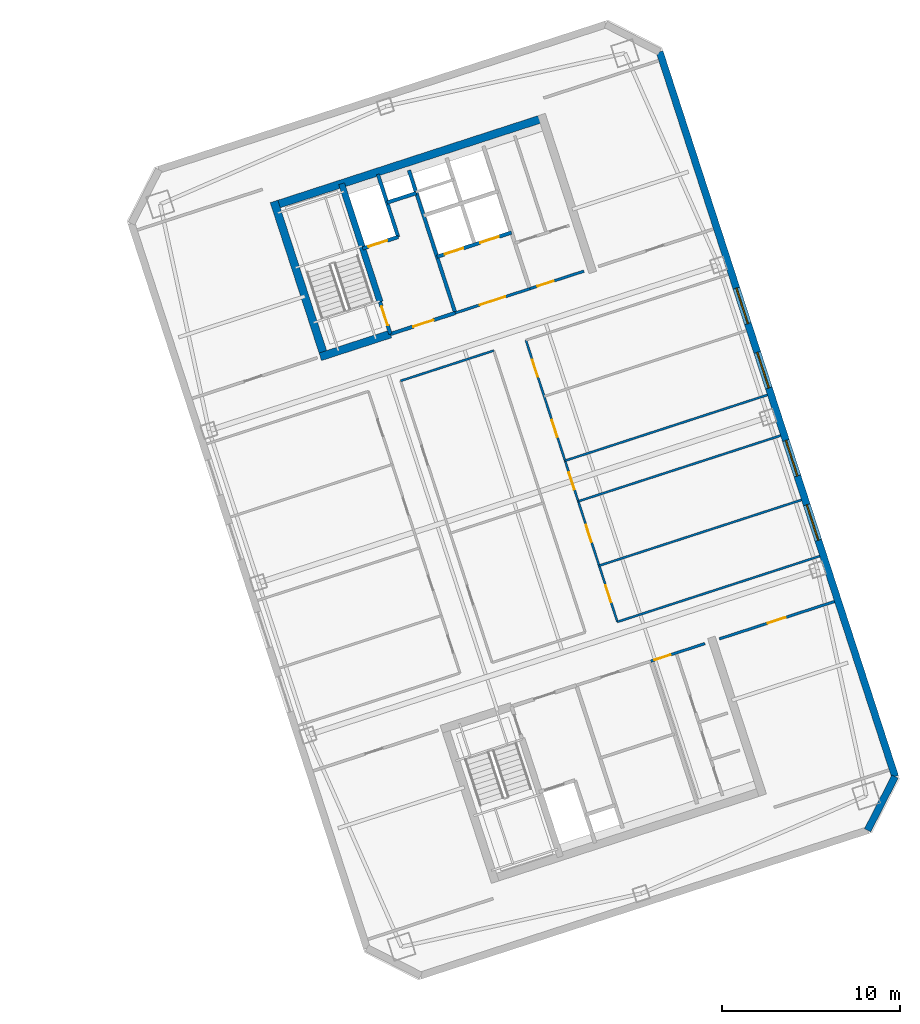
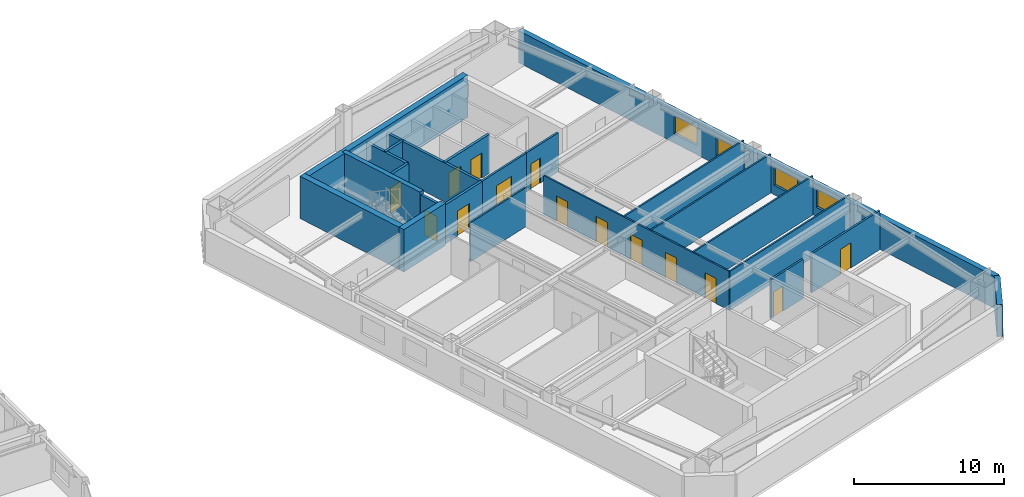
# One storey, part 9 of 13: 23 walls, 14 doors, 4 windows, 18 openings.
"""IFC4 building model written with IfcOpenShell, lengths in metres."""

import ifcopenshell
import ifcopenshell.guid

model = None  # the IFC model being written
_history = None  # IfcOwnerHistory: only IFC2X3 demands one
_inside = {}  # id of a spatial element -> (the spatial element, [elements in it])
_under = {}  # id of a project, library or spatial element -> (it, [spatial elements below it])
_declared = {}  # id of a project -> (the project, [libraries it declares])
_typed = {}  # id of a type object -> (the type object, [elements of that type])
_made_of = {}  # id of a material, layer set ... -> (it, [elements and type objects made of it])


def new_model(schema):
    """Start an empty IFC model of exactly this schema.

    Asked for "IFC4X3", IfcOpenShell would pick the latest addendum, in which some entities
    have other attributes; the version numbers below select the first issue.
    IFC2X3 requires an IfcOwnerHistory on every rooted entity: one is made here for all.
    """
    global model, _history
    if schema == "IFC4X3":
        model = ifcopenshell.file(schema_version=(4, 3, 0, 0))
    else:
        model = ifcopenshell.file(schema=schema)
    _inside.clear()
    _under.clear()
    _declared.clear()
    _typed.clear()
    _made_of.clear()
    _history = None
    if model.schema == "IFC2X3":
        org = make("IfcOrganization", Name="unknown")
        user = make(
            "IfcPersonAndOrganization",
            ThePerson=make("IfcPerson", FamilyName="unknown"),
            TheOrganization=org,
        )
        app = make(
            "IfcApplication",
            ApplicationDeveloper=org,
            Version="unknown",
            ApplicationFullName="unknown",
            ApplicationIdentifier="unknown",
        )
        _history = make(
            "IfcOwnerHistory",
            OwningUser=user,
            OwningApplication=app,
            ChangeAction="ADDED",
            CreationDate=0,
        )
    return model


def make(cls, **values):
    """One entity of the class cls with the attributes given. An attribute that is None is left unset."""
    return model.create_entity(
        cls, **{name: value for name, value in values.items() if value is not None}
    )


def rooted(cls, **values):
    """An entity with a GlobalId (a new one), such as an element, a storey or a relation."""
    return make(cls, GlobalId=ifcopenshell.guid.new(), OwnerHistory=_history, **values)


def si_unit(unit_type, name, prefix=None):
    """IfcSIUnit, for example si_unit("LENGTHUNIT", "METRE", prefix="MILLI")."""
    return make("IfcSIUnit", UnitType=unit_type, Prefix=prefix, Name=name)


def assignment(units):
    """IfcUnitAssignment: the units of a project."""
    return None if units is None else make("IfcUnitAssignment", Units=units)


def point(xyz):
    """IfcCartesianPoint."""
    return None if xyz is None else make("IfcCartesianPoint", Coordinates=xyz)


def direction(xyz):
    """IfcDirection."""
    return None if xyz is None else make("IfcDirection", DirectionRatios=xyz)


def frame(location, z_axis=None, x_axis=None):
    """IfcAxis2Placement3D, a coordinate frame: its origin and axes. An axis left out is left unset."""
    return make(
        "IfcAxis2Placement3D",
        Location=point(location),
        Axis=direction(z_axis),
        RefDirection=direction(x_axis),
    )


def frame_2d(location, x_axis=None):
    """IfcAxis2Placement2D, a coordinate frame in the plane: its origin and x axis."""
    return make(
        "IfcAxis2Placement2D", Location=point(location), RefDirection=direction(x_axis)
    )


def origin():
    """The frame at (0, 0, 0) with its axes left unset."""
    return frame((0.0, 0.0, 0.0))


def place(relative_to, where):
    """IfcLocalPlacement: puts the frame where relative to a parent placement (None: the world)."""
    return make(
        "IfcLocalPlacement", PlacementRelTo=relative_to, RelativePlacement=where
    )


def context(
    kind, dimensions, precision=None, world=None, true_north=None, identifier=None
):
    """IfcGeometricRepresentationContext, for example the 3D "Model" context."""
    return make(
        "IfcGeometricRepresentationContext",
        ContextIdentifier=identifier,
        ContextType=kind,
        CoordinateSpaceDimension=dimensions,
        Precision=precision,
        WorldCoordinateSystem=world,
        TrueNorth=true_north,
    )


def subcontext(parent, identifier, kind, view, scale=None):
    """IfcGeometricRepresentationSubContext, for example "Body" below "Model"."""
    return make(
        "IfcGeometricRepresentationSubContext",
        ContextIdentifier=identifier,
        ContextType=kind,
        ParentContext=parent,
        TargetScale=scale,
        TargetView=view,
    )


def project(units=None, contexts=None):
    """IfcProject with its units and contexts."""
    return rooted(
        "IfcProject",
        Name="project",
        RepresentationContexts=contexts,
        UnitsInContext=assignment(units),
    )


def spatial(cls, under=None, at=None, **own):
    """A site, building, storey or space (cls), placed at a placement, below another one or the project."""
    s = rooted(cls, ObjectPlacement=at, **own)
    if under is not None:
        _under.setdefault(under.id(), (under, []))[1].append(s)
    return s


def profile(cls, at=None, kind="AREA", **sizes):
    """A parametric profile (cls). Its sizes go by their IFC names, for example OverallWidth=200.0."""
    return make(cls, ProfileType=kind, Position=at, **sizes)


def rectangle(**sizes):
    """IfcRectangleProfileDef."""
    return profile("IfcRectangleProfileDef", **sizes)


def extrude(swept, where, along, depth):
    """IfcExtrudedAreaSolid: the profile swept, set in the frame where, extruded along a direction by depth."""
    return make(
        "IfcExtrudedAreaSolid",
        SweptArea=swept,
        Position=where,
        ExtrudedDirection=direction(along),
        Depth=depth,
    )


def shape(context_of_items, identifier, shape_type, items):
    """IfcShapeRepresentation: the items that make up one representation, for example the "Body"."""
    return make(
        "IfcShapeRepresentation",
        ContextOfItems=context_of_items,
        RepresentationIdentifier=identifier,
        RepresentationType=shape_type,
        Items=items,
    )


def material(Name=None, Category=None):
    """IfcMaterial."""
    return make("IfcMaterial", Name=Name, Category=Category)


def layer(
    of_material, thickness, ventilated=None, Name=None, Category=None, Priority=None
):
    """IfcMaterialLayer: one layer of a wall or slab, of a material (None: an air gap)."""
    return make(
        "IfcMaterialLayer",
        Material=of_material,
        LayerThickness=thickness,
        IsVentilated=ventilated,
        Name=Name,
        Category=Category,
        Priority=Priority,
    )


def layer_set(layers, Name=None):
    """IfcMaterialLayerSet."""
    return make("IfcMaterialLayerSet", MaterialLayers=layers, LayerSetName=Name)


def made_of(thing, what):
    """Note that an element or type object is made of a material, layer set ...; save() writes the relation."""
    if what is not None:
        _made_of.setdefault(what.id(), (what, []))[1].append(thing)
    return thing


def type_object(cls, material=None, **own):
    """A type object (cls), such as IfcWallType, which elements share."""
    return made_of(rooted(cls, **own), material)


def element(
    cls,
    number,
    at=None,
    inside=None,
    cuts=None,
    type_object=None,
    material=None,
    context=None,
    identifier="Body",
    shape_type=None,
    held_by="IfcProductDefinitionShape",
    body=None,
    shapes=None,
    **own,
):
    """One element of the class cls, such as IfcWall. Its Tag is "e" and its number.

    at: its placement. inside: the storey or other place that contains it. cuts: it is an
    opening in that element (IfcRelVoidsElement). A single representation is given by context,
    identifier, shape_type and body (its items); several are given by shapes. held_by: the class
    of the entity that holds the representations. save() writes the other relations.
    """
    e = rooted(cls, Tag="e%d" % number, ObjectPlacement=at, **own)
    if body is not None:
        shapes = [shape(context, identifier, shape_type, body)]
    if shapes is not None:
        e.Representation = make(held_by, Representations=shapes)
    if inside is not None:
        _inside.setdefault(inside.id(), (inside, []))[1].append(e)
    if cuts is not None:
        rooted(
            "IfcRelVoidsElement", RelatingBuildingElement=cuts, RelatedOpeningElement=e
        )
    if type_object is not None:
        _typed.setdefault(type_object.id(), (type_object, []))[1].append(e)
    return made_of(e, material)


def fill(opening, filler):
    """IfcRelFillsElement: the door or window that sits in an opening."""
    return rooted(
        "IfcRelFillsElement",
        RelatingOpeningElement=opening,
        RelatedBuildingElement=filler,
    )


def aggregate(whole, parts):
    """IfcRelAggregates: a whole, such as a stair, and the parts it consists of."""
    return rooted("IfcRelAggregates", RelatingObject=whole, RelatedObjects=parts)


def save(model, path):
    """Write the relations noted so far, then the file.

    IfcRelAggregates (storeys below a building ...), IfcRelContainedInSpatialStructure (elements
    in a storey), IfcRelDefinesByType, IfcRelAssociatesMaterial and IfcRelDeclares: one each for
    every whole, place, type object, material and project.
    """
    for whole, parts in _under.values():
        aggregate(whole, parts)
    for where, things in _inside.values():
        rooted(
            "IfcRelContainedInSpatialStructure",
            RelatedElements=things,
            RelatingStructure=where,
        )
    for kind, things in _typed.values():
        rooted("IfcRelDefinesByType", RelatedObjects=things, RelatingType=kind)
    for what, things in _made_of.values():
        rooted("IfcRelAssociatesMaterial", RelatedObjects=things, RelatingMaterial=what)
    for by, libraries in _declared.values():
        rooted("IfcRelDeclares", RelatingContext=by, RelatedDefinitions=libraries)
    model.write(path)


model = new_model("IFC4")

# Units and contexts
model_context = context("Model", 3, precision=1e-05, world=origin(), true_north=direction((0.0, 1.0)))
body_context = subcontext(model_context, "Body", "Model", "MODEL_VIEW")
ifc_project = project(units=[si_unit("LENGTHUNIT", "METRE"), si_unit("AREAUNIT", "SQUARE_METRE"), si_unit("VOLUMEUNIT", "CUBIC_METRE"), si_unit("PLANEANGLEUNIT", "RADIAN"), si_unit("MASSUNIT", "GRAM", prefix="KILO")], contexts=[model_context])

# Site, building, storey
site_placement = place(None, origin())
site = spatial("IfcSite", under=ifc_project, at=site_placement, CompositionType="ELEMENT")
building_placement = place(site_placement, origin())
building = spatial("IfcBuilding", under=site, at=building_placement, Name="Qiaolan Cultural Towers", CompositionType="ELEMENT")
storey_placement = place(building_placement, frame((0.0, 0.0, 192.050048828125)))
storey = spatial("IfcBuildingStorey", under=building, at=storey_placement, Name="L51", CompositionType="ELEMENT", Elevation=192.050048828125)

# Walls
ifc_material_1 = material(Name="Concrete C50", Category="concrete")
ifc_layer_1 = layer(ifc_material_1, 0.35009765625)
ifc_layer_set_1 = layer_set([ifc_layer_1], Name="Concrete C50")
wall_type_1 = type_object("IfcWallType", Name="WL-CORE-350", PredefinedType="SHEAR", material=ifc_layer_set_1)
wall_1_placement = place(storey_placement, frame((82.513671875, 45.13134765625, 0.0), z_axis=(0.0, 0.0, 1.0), x_axis=(-0.308988790936, 0.951065679686, 0.0)))
element("IfcWall", 1, at=wall_1_placement, inside=storey, type_object=wall_type_1, Name="L51 T2-CN Stair Core Dividing Web", PredefinedType="SHEAR", context=body_context, shape_type="SweptSolid", body=[
    extrude(rectangle(XDim=6.97998046875, YDim=0.35009765625, at=frame_2d((3.489990234375, 0.0))), origin(), (0.0, 0.0, 1.0), 3.449951171875),
])
ifc_material_2 = material(Name="Concrete C50", Category="concrete")
ifc_layer_2 = layer(ifc_material_2, 0.449951171875)
ifc_layer_set_2 = layer_set([ifc_layer_2], Name="Concrete C50")
wall_type_2 = type_object("IfcWallType", Name="WL-CORE-450", PredefinedType="SHEAR", material=ifc_layer_set_2)
wall_2_placement = place(storey_placement, frame((76.414794921875, 50.489013671875, 0.0), z_axis=(0.0, 0.0, 1.0), x_axis=(0.951056810414, 0.309016089169, 0.0)))
element("IfcWall", 2, at=wall_2_placement, inside=storey, type_object=wall_type_2, Name="L51 T2-CN Outer Core Shear Wall", PredefinedType="SHEAR", context=body_context, shape_type="SweptSolid", body=[
    extrude(rectangle(XDim=16.25, YDim=0.449951171875, at=frame_2d((8.125, 0.0))), origin(), (0.0, 0.0, 1.0), 3.449951171875),
])
wall_3_placement = place(storey_placement, frame((79.4423828125, 41.899169921875, 0.0), z_axis=(0.0, 0.0, 1.0), x_axis=(-0.309035778627, 0.951050412717, 0.0)))
element("IfcWall", 3, at=wall_3_placement, inside=storey, type_object=wall_type_2, Name="L51 T2-CN West Core Shear Wall", PredefinedType="SHEAR", context=body_context, shape_type="SweptSolid", body=[
    extrude(rectangle(XDim=9.330078125, YDim=0.449951171875, at=frame_2d((4.6650390625, 0.0))), origin(), (0.0, 0.0, 1.0), 3.449951171875),
])
wall_4_placement = place(storey_placement, frame((79.15869140625, 42.04345703125, 0.0), z_axis=(0.0, 0.0, 1.0), x_axis=(0.951047485828, 0.309044785913, 0.0)))
element("IfcWall", 4, at=wall_4_placement, inside=storey, type_object=wall_type_2, Name="L51 T2-CN Stair Front Shear Wall", PredefinedType="SHEAR", context=body_context, shape_type="SweptSolid", body=[
    extrude(rectangle(XDim=4.14501953125, YDim=0.449951171875, at=frame_2d((2.072509765625, 0.0))), origin(), (0.0, 0.0, 1.0), 3.449951171875),
])

# Wall, openings, windows
ifc_material_3 = material(Name="Precast Concrete C50 Honed Stone Pier", Category="masonry")
ifc_layer_3 = layer(ifc_material_3, 0.39990234375)
ifc_layer_set_3 = layer_set([ifc_layer_3], Name="Precast Concrete C50 Honed Stone Pier")
wall_type_3 = type_object("IfcWallType", Name="WL-EXT-PIER-400", PredefinedType="SOLIDWALL", material=ifc_layer_set_3)
wall_5_placement = place(storey_placement, frame((98.2236328125, 59.17333984375, 0.0), z_axis=(0.0, 0.0, 1.0), x_axis=(0.309014228706, -0.951057414911, 0.0)))
wall_5 = element("IfcWall", 5, at=wall_5_placement, inside=storey, type_object=wall_type_3, Name="L51 East Tower Precast Pier Facade Wall F5", PredefinedType="SOLIDWALL", context=body_context, shape_type="SweptSolid", body=[
    extrude(rectangle(XDim=42.800048828125, YDim=0.39990234375, at=frame_2d((21.39990234375, 0.0))), origin(), (0.0, 0.0, 1.0), 2.60986328125),
])
opening_1_placement = place(wall_5_placement, frame((26.75, 0.0, 0.75)))
opening_1 = element("IfcOpeningElement", 6, at=opening_1_placement, cuts=wall_5, Name="Opening W-05", PredefinedType="OPENING", context=body_context, shape_type="SweptSolid", body=[
    extrude(rectangle(XDim=2.10009765625, YDim=1.4599609375, at=frame_2d((1.050048828125, 0.72998046875))), frame((0.0, 0.2099609375, 0.0), z_axis=(0.0, -1.0, 0.0), x_axis=(1.0, 0.0, 0.0)), (0.0, 0.0, 1.0), 0.419921875),
])
opening_2_placement = place(wall_5_placement, frame((22.949951171875, 0.0, 0.75)))
opening_2 = element("IfcOpeningElement", 7, at=opening_2_placement, cuts=wall_5, Name="Opening W-05", PredefinedType="OPENING", context=body_context, shape_type="SweptSolid", body=[
    extrude(rectangle(XDim=2.10009765625, YDim=1.4599609375, at=frame_2d((1.050048828125, 0.72998046875))), frame((0.0, 0.2099609375, 0.0), z_axis=(0.0, -1.0, 0.0), x_axis=(1.0, 0.0, 0.0)), (0.0, 0.0, 1.0), 0.419921875),
])
opening_3_placement = place(wall_5_placement, frame((17.75, 0.0, 0.75)))
opening_3 = element("IfcOpeningElement", 8, at=opening_3_placement, cuts=wall_5, Name="Opening W-05", PredefinedType="OPENING", context=body_context, shape_type="SweptSolid", body=[
    extrude(rectangle(XDim=2.10009765625, YDim=1.4599609375, at=frame_2d((1.050048828125, 0.72998046875))), frame((0.0, 0.2099609375, 0.0), z_axis=(0.0, -1.0, 0.0), x_axis=(1.0, 0.0, 0.0)), (0.0, 0.0, 1.0), 0.419921875),
])
opening_4_placement = place(wall_5_placement, frame((13.949951171875, 0.0, 0.75)))
opening_4 = element("IfcOpeningElement", 9, at=opening_4_placement, cuts=wall_5, Name="Opening W-05", PredefinedType="OPENING", context=body_context, shape_type="SweptSolid", body=[
    extrude(rectangle(XDim=2.10009765625, YDim=1.4599609375, at=frame_2d((1.050048828125, 0.72998046875))), frame((0.0, 0.2099609375, 0.0), z_axis=(0.0, -1.0, 0.0), x_axis=(1.0, 0.0, 0.0)), (0.0, 0.0, 1.0), 0.419921875),
])
ifc_material_4 = material(Name="Thermally Broken Aluminium Triple Low-E Glazing", Category="aluminium")
window_type = type_object("IfcWindowType", Name="WN-CHIC-2100", PartitioningType="SINGLE_PANEL", PredefinedType="WINDOW", material=ifc_material_4)
window_1_placement = place(opening_1_placement, origin())
window_1 = element("IfcWindow", 10, at=window_1_placement, inside=storey, type_object=window_type, Name="L51 T2 E Chicago Bay Window 1", OverallHeight=1.4599609375, OverallWidth=2.10009765625, PartitioningType="TRIPLE_PANEL_VERTICAL", PredefinedType="WINDOW", context=body_context, shape_type="SweptSolid", body=[
    extrude(rectangle(XDim=2.10009765625, YDim=1.4599609375, at=frame_2d((1.050048828125, 0.72998046875))), frame((0.0, 0.030029296875, 0.0), z_axis=(0.0, -1.0, 0.0), x_axis=(1.0, 0.0, 0.0)), (0.0, 0.0, 1.0), 0.06005859375),
])
fill(opening_1, window_1)
window_2_placement = place(opening_2_placement, origin())
window_2 = element("IfcWindow", 11, at=window_2_placement, inside=storey, type_object=window_type, Name="L51 T2 E Chicago Bay Window 2", OverallHeight=1.4599609375, OverallWidth=2.10009765625, PartitioningType="TRIPLE_PANEL_VERTICAL", PredefinedType="WINDOW", context=body_context, shape_type="SweptSolid", body=[
    extrude(rectangle(XDim=2.10009765625, YDim=1.4599609375, at=frame_2d((1.050048828125, 0.72998046875))), frame((0.0, 0.030029296875, 0.0), z_axis=(0.0, -1.0, 0.0), x_axis=(1.0, 0.0, 0.0)), (0.0, 0.0, 1.0), 0.06005859375),
])
fill(opening_2, window_2)
window_3_placement = place(opening_3_placement, origin())
window_3 = element("IfcWindow", 12, at=window_3_placement, inside=storey, type_object=window_type, Name="L51 T2 E Chicago Bay Window 3", OverallHeight=1.4599609375, OverallWidth=2.10009765625, PartitioningType="TRIPLE_PANEL_VERTICAL", PredefinedType="WINDOW", context=body_context, shape_type="SweptSolid", body=[
    extrude(rectangle(XDim=2.10009765625, YDim=1.4599609375, at=frame_2d((1.050048828125, 0.72998046875))), frame((0.0, 0.030029296875, 0.0), z_axis=(0.0, -1.0, 0.0), x_axis=(1.0, 0.0, 0.0)), (0.0, 0.0, 1.0), 0.06005859375),
])
fill(opening_3, window_3)
window_4_placement = place(opening_4_placement, origin())
window_4 = element("IfcWindow", 13, at=window_4_placement, inside=storey, type_object=window_type, Name="L51 T2 E Chicago Bay Window 4", OverallHeight=1.4599609375, OverallWidth=2.10009765625, PartitioningType="TRIPLE_PANEL_VERTICAL", PredefinedType="WINDOW", context=body_context, shape_type="SweptSolid", body=[
    extrude(rectangle(XDim=2.10009765625, YDim=1.4599609375, at=frame_2d((1.050048828125, 0.72998046875))), frame((0.0, 0.030029296875, 0.0), z_axis=(0.0, -1.0, 0.0), x_axis=(1.0, 0.0, 0.0)), (0.0, 0.0, 1.0), 0.06005859375),
])
fill(opening_4, window_4)

# Wall
wall_6_placement = place(storey_placement, frame((111.449462890625, 18.468017578125, 0.0), z_axis=(0.0, 0.0, 1.0), x_axis=(-0.454019523198, -0.890991735402, 0.0)))
element("IfcWall", 14, at=wall_6_placement, inside=storey, type_object=wall_type_3, Name="L51 East Tower Precast Pier Facade Wall F6", PredefinedType="SOLIDWALL", context=body_context, shape_type="SweptSolid", body=[
    extrude(rectangle(XDim=3.39404296875, YDim=0.39990234375, at=frame_2d((1.697021484375, 0.0))), origin(), (0.0, 0.0, 1.0), 2.60986328125),
])

# Wall, opening, door
ifc_material_5 = material(Name="Concrete C35 Fire Wall", Category="concrete")
ifc_layer_4 = layer(ifc_material_5, 0.199951171875)
ifc_layer_set_4 = layer_set([ifc_layer_4], Name="Concrete C35 Fire Wall")
wall_type_4 = type_object("IfcWallType", Name="WL-FIRE-200", PredefinedType="PARTITIONING", material=ifc_layer_set_4)
wall_7_placement = place(storey_placement, frame((83.100830078125, 43.324462890625, 0.0), z_axis=(0.0, 0.0, 1.0), x_axis=(-0.309048298632, 0.951046344356, 0.0)))
wall_7 = element("IfcWall", 15, at=wall_7_placement, inside=storey, type_object=wall_type_4, Name="L51 T2-CN Smokeproof Stair Entry Wall", PredefinedType="PARTITIONING", context=body_context, shape_type="SweptSolid", body=[
    extrude(rectangle(XDim=1.89990234375, YDim=0.199951171875, at=frame_2d((0.949951171875, 0.0))), origin(), (0.0, 0.0, 1.0), 3.175048828125),
])
opening_5_placement = place(wall_7_placement, frame((0.52001953125, 0.0, 0.0)))
opening_5 = element("IfcOpeningElement", 16, at=opening_5_placement, cuts=wall_7, Name="Opening FD-04", PredefinedType="OPENING", context=body_context, shape_type="SweptSolid", body=[
    extrude(rectangle(XDim=1.10009765625, YDim=2.050048828125, at=frame_2d((0.550048828125, 1.02490234375))), frame((0.0, 0.10986328125, 0.0), z_axis=(0.0, -1.0, 0.0), x_axis=(1.0, 0.0, 0.0)), (0.0, 0.0, 1.0), 0.219970703125),
])
ifc_material_6 = material(Name="Galvanized Steel Command Fire Door", Category="steel")
door_type_1 = type_object("IfcDoorType", Name="DR-FD90-1100", OperationType="NOTDEFINED", PredefinedType="DOOR", material=ifc_material_6)
door_1_placement = place(opening_5_placement, origin())
door_1 = element("IfcDoor", 17, at=door_1_placement, inside=storey, type_object=door_type_1, Name="L51 ST-E2 Smokeproof Stair Fire Door", OperationType="SINGLE_SWING_LEFT", OverallHeight=2.050048828125, OverallWidth=1.10009765625, PredefinedType="DOOR", context=body_context, shape_type="SweptSolid", body=[
    extrude(rectangle(XDim=1.10009765625, YDim=2.050048828125, at=frame_2d((0.550048828125, 1.02490234375))), frame((0.0, 0.02490234375, 0.0), z_axis=(0.0, -1.0, 0.0), x_axis=(1.0, 0.0, 0.0)), (0.0, 0.0, 1.0), 0.050048828125),
])
fill(opening_5, door_1)

# Wall
wall_8_placement = place(storey_placement, frame((86.743408203125, 44.508056640625, 0.0), z_axis=(0.0, 0.0, 1.0), x_axis=(-0.309016001439, 0.951056838919, 0.0)))
element("IfcWall", 18, at=wall_8_placement, inside=storey, type_object=wall_type_4, Name="L51 T2-CN Firefighting Zone Wall", PredefinedType="PARTITIONING", context=body_context, shape_type="SweptSolid", body=[
    extrude(rectangle(XDim=8.429931640625, YDim=0.199951171875, at=frame_2d((4.21484375, 0.0))), origin(), (0.0, 0.0, 1.0), 3.175048828125),
])

# Wall, opening, door
wall_9_placement = place(storey_placement, frame((83.100830078125, 43.324462890625, 0.0), z_axis=(0.0, 0.0, 1.0), x_axis=(0.951052804469, 0.309028417967, 0.0)))
wall_9 = element("IfcWall", 19, at=wall_9_placement, inside=storey, type_object=wall_type_4, Name="L51 T2-CN Firefighting Lobby Front Wall", PredefinedType="PARTITIONING", context=body_context, shape_type="SweptSolid", body=[
    extrude(rectangle(XDim=3.830078125, YDim=0.199951171875, at=frame_2d((1.9150390625, 0.0))), origin(), (0.0, 0.0, 1.0), 3.175048828125),
])
opening_6_placement = place(wall_9_placement, frame((1.35009765625, 0.0, 0.0)))
opening_6 = element("IfcOpeningElement", 20, at=opening_6_placement, cuts=wall_9, Name="Opening FD-03", PredefinedType="OPENING", context=body_context, shape_type="SweptSolid", body=[
    extrude(rectangle(XDim=1.199951171875, YDim=2.050048828125, at=frame_2d((0.60009765625, 1.02490234375))), frame((0.0, 0.10986328125, 0.0), z_axis=(0.0, -1.0, 0.0), x_axis=(1.0, 0.0, 0.0)), (0.0, 0.0, 1.0), 0.219970703125),
])
ifc_material_7 = material(Name="Galvanized Steel Smokeproof Lobby Fire Door", Category="steel")
door_type_2 = type_object("IfcDoorType", Name="DR-FD90-1200", OperationType="NOTDEFINED", PredefinedType="DOOR", material=ifc_material_7)
door_2_placement = place(opening_6_placement, origin())
door_2 = element("IfcDoor", 21, at=door_2_placement, inside=storey, type_object=door_type_2, Name="L51 FFL-E2 Firefighting Lobby Fire Door", OperationType="SINGLE_SWING_LEFT", OverallHeight=2.050048828125, OverallWidth=1.199951171875, PredefinedType="DOOR", context=body_context, shape_type="SweptSolid", body=[
    extrude(rectangle(XDim=1.199951171875, YDim=2.050048828125, at=frame_2d((0.60009765625, 1.02490234375))), frame((0.0, 0.02490234375, 0.0), z_axis=(0.0, -1.0, 0.0), x_axis=(1.0, 0.0, 0.0)), (0.0, 0.0, 1.0), 0.050048828125),
])
fill(opening_6, door_2)

wall_10_placement = place(storey_placement, frame((81.540283203125, 48.127197265625, 0.0), z_axis=(0.0, 0.0, 1.0), x_axis=(0.951062257173, 0.308999325213, 0.0)))
wall_10 = element("IfcWall", 22, at=wall_10_placement, inside=storey, type_object=wall_type_4, Name="L51 T2-CN Firefighting Shaft Front Wall", PredefinedType="PARTITIONING", context=body_context, shape_type="SweptSolid", body=[
    extrude(rectangle(XDim=2.10009765625, YDim=0.199951171875, at=frame_2d((1.050048828125, 0.0))), origin(), (0.0, 0.0, 1.0), 3.175048828125),
])
opening_7_placement = place(wall_10_placement, frame((0.35009765625, 0.0, 0.0)))
opening_7 = element("IfcOpeningElement", 23, at=opening_7_placement, cuts=wall_10, Name="Opening LD-01", PredefinedType="OPENING", context=body_context, shape_type="SweptSolid", body=[
    extrude(rectangle(XDim=1.10009765625, YDim=2.050048828125, at=frame_2d((0.550048828125, 1.02490234375))), frame((0.0, 0.10986328125, 0.0), z_axis=(0.0, -1.0, 0.0), x_axis=(1.0, 0.0, 0.0)), (0.0, 0.0, 1.0), 0.219970703125),
])
ifc_material_8 = material(Name="Brushed Stainless Steel S30408 Centre-Parting Lift Landing Door", Category="steel")
door_type_3 = type_object("IfcDoorType", Name="DR-LIFT-1100", OperationType="NOTDEFINED", PredefinedType="DOOR", material=ifc_material_8)
door_3_placement = place(opening_7_placement, origin())
door_3 = element("IfcDoor", 24, at=door_3_placement, inside=storey, type_object=door_type_3, Name="L51 FFL-E2 Firefighting Lift Landing Door", OperationType="DOUBLE_DOOR_SLIDING", OverallHeight=2.050048828125, OverallWidth=1.10009765625, PredefinedType="DOOR", context=body_context, shape_type="SweptSolid", body=[
    extrude(rectangle(XDim=1.10009765625, YDim=2.050048828125, at=frame_2d((0.550048828125, 1.02490234375))), frame((0.0, 0.02490234375, 0.0), z_axis=(0.0, -1.0, 0.0), x_axis=(1.0, 0.0, 0.0)), (0.0, 0.0, 1.0), 0.050048828125),
])
fill(opening_7, door_3)

# Walls
wall_11_placement = place(storey_placement, frame((83.53759765625, 48.776123046875, 0.0), z_axis=(0.0, 0.0, 1.0), x_axis=(-0.3089935693, 0.951064127245, 0.0)))
element("IfcWall", 25, at=wall_11_placement, inside=storey, type_object=wall_type_4, Name="L51 T2-CN Firefighting Hoistway East Wall", PredefinedType="PARTITIONING", context=body_context, shape_type="SweptSolid", body=[
    extrude(rectangle(XDim=3.7001953125, YDim=0.199951171875, at=frame_2d((1.85009765625, 0.0))), origin(), (0.0, 0.0, 1.0), 3.175048828125),
])
wall_12_placement = place(storey_placement, frame((82.910400390625, 50.706787109375, 0.0), z_axis=(0.0, 0.0, 1.0), x_axis=(0.951041328149, 0.309063734775, 0.0)))
element("IfcWall", 26, at=wall_12_placement, inside=storey, type_object=wall_type_4, Name="L51 T2-CN Pressurization Shaft Front Wall", PredefinedType="PARTITIONING", context=body_context, shape_type="SweptSolid", body=[
    extrude(rectangle(XDim=1.72998046875, YDim=0.199951171875, at=frame_2d((0.864990234375, 0.0))), origin(), (0.0, 0.0, 1.0), 3.175048828125),
])

# Wall, openings, doors
wall_13_placement = place(storey_placement, frame((85.717529296875, 47.66552734375, 0.0), z_axis=(0.0, 0.0, 1.0), x_axis=(0.951058531764, 0.30901079133, 0.0)))
wall_13 = element("IfcWall", 27, at=wall_13_placement, inside=storey, type_object=wall_type_4, Name="L51 T2-CN Passenger Lift Shaft Front Wall", PredefinedType="PARTITIONING", context=body_context, shape_type="SweptSolid", body=[
    extrude(rectangle(XDim=4.39990234375, YDim=0.199951171875, at=frame_2d((2.199951171875, 0.0))), origin(), (0.0, 0.0, 1.0), 3.175048828125),
])
opening_8_placement = place(wall_13_placement, frame((0.449951171875, 0.0, 0.0)))
opening_8 = element("IfcOpeningElement", 28, at=opening_8_placement, cuts=wall_13, Name="Opening LD-01", PredefinedType="OPENING", context=body_context, shape_type="SweptSolid", body=[
    extrude(rectangle(XDim=1.10009765625, YDim=2.050048828125, at=frame_2d((0.550048828125, 1.02490234375))), frame((0.0, 0.10986328125, 0.0), z_axis=(0.0, -1.0, 0.0), x_axis=(1.0, 0.0, 0.0)), (0.0, 0.0, 1.0), 0.219970703125),
])
opening_9_placement = place(wall_13_placement, frame((2.550048828125, 0.0, 0.0)))
opening_9 = element("IfcOpeningElement", 29, at=opening_9_placement, cuts=wall_13, Name="Opening LD-01", PredefinedType="OPENING", context=body_context, shape_type="SweptSolid", body=[
    extrude(rectangle(XDim=1.10009765625, YDim=2.050048828125, at=frame_2d((0.550048828125, 1.02490234375))), frame((0.0, 0.10986328125, 0.0), z_axis=(0.0, -1.0, 0.0), x_axis=(1.0, 0.0, 0.0)), (0.0, 0.0, 1.0), 0.219970703125),
])
door_4_placement = place(opening_8_placement, origin())
door_4 = element("IfcDoor", 30, at=door_4_placement, inside=storey, type_object=door_type_3, Name="L51 Passenger Lift 1 Landing Door", OperationType="DOUBLE_DOOR_SLIDING", OverallHeight=2.050048828125, OverallWidth=1.10009765625, PredefinedType="DOOR", context=body_context, shape_type="SweptSolid", body=[
    extrude(rectangle(XDim=1.10009765625, YDim=2.050048828125, at=frame_2d((0.550048828125, 1.02490234375))), frame((0.0, 0.02490234375, 0.0), z_axis=(0.0, -1.0, 0.0), x_axis=(1.0, 0.0, 0.0)), (0.0, 0.0, 1.0), 0.050048828125),
])
fill(opening_8, door_4)
door_5_placement = place(opening_9_placement, origin())
door_5 = element("IfcDoor", 31, at=door_5_placement, inside=storey, type_object=door_type_3, Name="L51 Passenger Lift 2 Landing Door", OperationType="DOUBLE_DOOR_SLIDING", OverallHeight=2.050048828125, OverallWidth=1.10009765625, PredefinedType="DOOR", context=body_context, shape_type="SweptSolid", body=[
    extrude(rectangle(XDim=1.10009765625, YDim=2.050048828125, at=frame_2d((0.550048828125, 1.02490234375))), frame((0.0, 0.02490234375, 0.0), z_axis=(0.0, -1.0, 0.0), x_axis=(1.0, 0.0, 0.0)), (0.0, 0.0, 1.0), 0.050048828125),
])
fill(opening_9, door_5)

# Walls
ifc_material_9 = material(Name="Gypsum Stud Acoustic Partition", Category="gypsum")
ifc_layer_5 = layer(ifc_material_9, 0.1201171875)
ifc_layer_set_5 = layer_set([ifc_layer_5], Name="Gypsum Stud Acoustic Partition")
wall_type_5 = type_object("IfcWallType", Name="WL-PART-120", PredefinedType="PARTITIONING", material=ifc_layer_set_5)
wall_14_placement = place(storey_placement, frame((95.85205078125, 27.1533203125, 0.0), z_axis=(0.0, 0.0, 1.0), x_axis=(0.951054485045, 0.30902324585, 0.0)))
element("IfcWall", 32, at=wall_14_placement, inside=storey, type_object=wall_type_5, Name="L51 T2 Interior Wall", PredefinedType="PARTITIONING", context=body_context, shape_type="SweptSolid", body=[
    extrude(rectangle(XDim=11.9501953125, YDim=0.1201171875, at=frame_2d((5.97509765625, 0.0))), origin(), (0.0, 0.0, 1.0), 3.175048828125),
])
wall_15_placement = place(storey_placement, frame((83.67236328125, 40.692138671875, 0.0), z_axis=(0.0, 0.0, 1.0), x_axis=(0.951048747115, 0.30904090443, 0.0)))
element("IfcWall", 33, at=wall_15_placement, inside=storey, type_object=wall_type_5, Name="L51 T2 Interior Wall", PredefinedType="PARTITIONING", context=body_context, shape_type="SweptSolid", body=[
    extrude(rectangle(XDim=5.5, YDim=0.1201171875, at=frame_2d((2.75, 0.0))), origin(), (0.0, 0.0, 1.0), 3.175048828125),
])

# Wall, openings, doors
wall_16_placement = place(storey_placement, frame((95.85205078125, 27.1533203125, 0.0), z_axis=(0.0, 0.0, 1.0), x_axis=(-0.309004459387, 0.951060589068, 0.0)))
wall_16 = element("IfcWall", 34, at=wall_16_placement, inside=storey, type_object=wall_type_5, Name="L51 T2 Interior Wall", PredefinedType="PARTITIONING", context=body_context, shape_type="SweptSolid", body=[
    extrude(rectangle(XDim=16.64013671875, YDim=0.1201171875, at=frame_2d((8.320068359375, 0.0))), origin(), (0.0, 0.0, 1.0), 3.175048828125),
])
opening_10_placement = place(wall_16_placement, frame((1.159912109375, 0.0, 0.0)))
opening_10 = element("IfcOpeningElement", 35, at=opening_10_placement, cuts=wall_16, Name="Opening ID-04", PredefinedType="OPENING", context=body_context, shape_type="SweptSolid", body=[
    extrude(rectangle(XDim=1.0, YDim=2.050048828125, at=frame_2d((0.5, 1.02490234375))), frame((0.0, 0.070068359375, 0.0), z_axis=(0.0, -1.0, 0.0), x_axis=(1.0, 0.0, 0.0)), (0.0, 0.0, 1.0), 0.14013671875),
])
opening_11_placement = place(wall_16_placement, frame((4.719970703125, 0.0, 0.0)))
opening_11 = element("IfcOpeningElement", 36, at=opening_11_placement, cuts=wall_16, Name="Opening ID-04", PredefinedType="OPENING", context=body_context, shape_type="SweptSolid", body=[
    extrude(rectangle(XDim=1.0, YDim=2.050048828125, at=frame_2d((0.5, 1.02490234375))), frame((0.0, 0.070068359375, 0.0), z_axis=(0.0, -1.0, 0.0), x_axis=(1.0, 0.0, 0.0)), (0.0, 0.0, 1.0), 0.14013671875),
])
opening_12_placement = place(wall_16_placement, frame((7.820068359375, 0.0, 0.0)))
opening_12 = element("IfcOpeningElement", 37, at=opening_12_placement, cuts=wall_16, Name="Opening ID-04", PredefinedType="OPENING", context=body_context, shape_type="SweptSolid", body=[
    extrude(rectangle(XDim=1.0, YDim=2.050048828125, at=frame_2d((0.5, 1.02490234375))), frame((0.0, 0.070068359375, 0.0), z_axis=(0.0, -1.0, 0.0), x_axis=(1.0, 0.0, 0.0)), (0.0, 0.0, 1.0), 0.14013671875),
])
opening_13_placement = place(wall_16_placement, frame((10.919921875, 0.0, 0.0)))
opening_13 = element("IfcOpeningElement", 38, at=opening_13_placement, cuts=wall_16, Name="Opening ID-04", PredefinedType="OPENING", context=body_context, shape_type="SweptSolid", body=[
    extrude(rectangle(XDim=1.0, YDim=2.050048828125, at=frame_2d((0.5, 1.02490234375))), frame((0.0, 0.070068359375, 0.0), z_axis=(0.0, -1.0, 0.0), x_axis=(1.0, 0.0, 0.0)), (0.0, 0.0, 1.0), 0.14013671875),
])
opening_14_placement = place(wall_16_placement, frame((14.47998046875, 0.0, 0.0)))
opening_14 = element("IfcOpeningElement", 39, at=opening_14_placement, cuts=wall_16, Name="Opening ID-04", PredefinedType="OPENING", context=body_context, shape_type="SweptSolid", body=[
    extrude(rectangle(XDim=1.0, YDim=2.050048828125, at=frame_2d((0.5, 1.02490234375))), frame((0.0, 0.070068359375, 0.0), z_axis=(0.0, -1.0, 0.0), x_axis=(1.0, 0.0, 0.0)), (0.0, 0.0, 1.0), 0.14013671875),
])
ifc_material_10 = material(Name="Oak Veneer Acoustic Office Door", Category="timber")
door_type_4 = type_object("IfcDoorType", Name="DR-INT-1000", OperationType="NOTDEFINED", PredefinedType="DOOR", material=ifc_material_10)
door_6_placement = place(opening_10_placement, origin())
door_6 = element("IfcDoor", 40, at=door_6_placement, inside=storey, type_object=door_type_4, Name="L51 T2 Legal Library Salon Door", OperationType="SINGLE_SWING_RIGHT", OverallHeight=2.050048828125, OverallWidth=1.0, PredefinedType="DOOR", context=body_context, shape_type="SweptSolid", body=[
    extrude(rectangle(XDim=1.0, YDim=2.050048828125, at=frame_2d((0.5, 1.02490234375))), frame((0.0, 0.02490234375, 0.0), z_axis=(0.0, -1.0, 0.0), x_axis=(1.0, 0.0, 0.0)), (0.0, 0.0, 1.0), 0.050048828125),
])
fill(opening_10, door_6)
door_7_placement = place(opening_11_placement, origin())
door_7 = element("IfcDoor", 41, at=door_7_placement, inside=storey, type_object=door_type_4, Name="L51 T2 Client Hospitality Kitchen Door", OperationType="SINGLE_SWING_LEFT", OverallHeight=2.050048828125, OverallWidth=1.0, PredefinedType="DOOR", context=body_context, shape_type="SweptSolid", body=[
    extrude(rectangle(XDim=1.0, YDim=2.050048828125, at=frame_2d((0.5, 1.02490234375))), frame((0.0, 0.02490234375, 0.0), z_axis=(0.0, -1.0, 0.0), x_axis=(1.0, 0.0, 0.0)), (0.0, 0.0, 1.0), 0.050048828125),
])
fill(opening_11, door_7)
door_8_placement = place(opening_12_placement, origin())
door_8 = element("IfcDoor", 42, at=door_8_placement, inside=storey, type_object=door_type_4, Name="L51 T2 Client Hospitality Kitchen Door", OperationType="SINGLE_SWING_RIGHT", OverallHeight=2.050048828125, OverallWidth=1.0, PredefinedType="DOOR", context=body_context, shape_type="SweptSolid", body=[
    extrude(rectangle(XDim=1.0, YDim=2.050048828125, at=frame_2d((0.5, 1.02490234375))), frame((0.0, 0.02490234375, 0.0), z_axis=(0.0, -1.0, 0.0), x_axis=(1.0, 0.0, 0.0)), (0.0, 0.0, 1.0), 0.050048828125),
])
fill(opening_12, door_8)
door_9_placement = place(opening_13_placement, origin())
door_9 = element("IfcDoor", 43, at=door_9_placement, inside=storey, type_object=door_type_4, Name="L51 T2 Counsel Lounge Door", OperationType="SINGLE_SWING_LEFT", OverallHeight=2.050048828125, OverallWidth=1.0, PredefinedType="DOOR", context=body_context, shape_type="SweptSolid", body=[
    extrude(rectangle(XDim=1.0, YDim=2.050048828125, at=frame_2d((0.5, 1.02490234375))), frame((0.0, 0.02490234375, 0.0), z_axis=(0.0, -1.0, 0.0), x_axis=(1.0, 0.0, 0.0)), (0.0, 0.0, 1.0), 0.050048828125),
])
fill(opening_13, door_9)
door_10_placement = place(opening_14_placement, origin())
door_10 = element("IfcDoor", 44, at=door_10_placement, inside=storey, type_object=door_type_4, Name="L51 T2 First-Aid Care Room Door", OperationType="SINGLE_SWING_RIGHT", OverallHeight=2.050048828125, OverallWidth=1.0, PredefinedType="DOOR", context=body_context, shape_type="SweptSolid", body=[
    extrude(rectangle(XDim=1.0, YDim=2.050048828125, at=frame_2d((0.5, 1.02490234375))), frame((0.0, 0.02490234375, 0.0), z_axis=(0.0, -1.0, 0.0), x_axis=(1.0, 0.0, 0.0)), (0.0, 0.0, 1.0), 0.050048828125),
])
fill(opening_14, door_10)

# Walls
for number, where, z_axis, x_axis, name in (
    (45, (94.826171875, 30.310791015625, 0.0), (0.0, 0.0, 1.0), (0.951054485045, 0.30902324585, 0.0), "L51 T2 Interior Wall"),
    (46, (93.65185546875, 33.9248046875, 0.0), (0.0, 0.0, 1.0), (0.951054485045, 0.30902324585, 0.0), "L51 T2 Interior Wall"),
):
    element("IfcWall", number, at=place(storey_placement, frame(where, z_axis=z_axis, x_axis=x_axis)), inside=storey, type_object=wall_type_5, Name=name, PredefinedType="PARTITIONING", context=body_context, shape_type="SweptSolid", body=[
        extrude(rectangle(XDim=11.9501953125, YDim=0.1201171875, at=frame_2d((5.97509765625, 0.0))), origin(), (0.0, 0.0, 1.0), 3.175048828125),
    ])
wall_17_placement = place(storey_placement, frame((92.910400390625, 36.207275390625, 0.0), z_axis=(0.0, 0.0, 1.0), x_axis=(0.951052534024, 0.309029250277, 0.0)))
element("IfcWall", 47, at=wall_17_placement, inside=storey, type_object=wall_type_5, Name="L51 T2 Interior Wall", PredefinedType="PARTITIONING", context=body_context, shape_type="SweptSolid", body=[
    extrude(rectangle(XDim=11.949951171875, YDim=0.1201171875, at=frame_2d((5.97509765625, 0.0))), origin(), (0.0, 0.0, 1.0), 3.175048828125),
])

# Wall, opening, door
ifc_material_11 = material(Name="Autoclaved Aerated Concrete Block B06", Category="concrete")
ifc_layer_6 = layer(ifc_material_11, 0.14990234375)
ifc_layer_set_6 = layer_set([ifc_layer_6], Name="Autoclaved Aerated Concrete Block B06")
wall_type_6 = type_object("IfcWallType", Name="WL-PART-150", PredefinedType="PARTITIONING", material=ifc_layer_set_6)
wall_18_placement = place(storey_placement, frame((97.7265625, 24.9443359375, 0.0), z_axis=(0.0, 0.0, 1.0), x_axis=(0.951036872128, 0.309077446369, 0.0)))
wall_18 = element("IfcWall", 48, at=wall_18_placement, inside=storey, type_object=wall_type_6, Name="L51 T2-CS Sanitary Core Front Wall", PredefinedType="PARTITIONING", context=body_context, shape_type="SweptSolid", body=[
    extrude(rectangle(XDim=3.199951171875, YDim=0.14990234375, at=frame_2d((1.60009765625, 0.0))), origin(), (0.0, 0.0, 1.0), 3.175048828125),
])
opening_15_placement = place(wall_18_placement, frame((0.219970703125, 0.0, 0.0)))
opening_15 = element("IfcOpeningElement", 49, at=opening_15_placement, cuts=wall_18, Name="Opening ID-05", PredefinedType="OPENING", context=body_context, shape_type="SweptSolid", body=[
    extrude(rectangle(XDim=0.949951171875, YDim=2.050048828125, at=frame_2d((0.47509765625, 1.02490234375))), frame((0.0, 0.0849609375, 0.0), z_axis=(0.0, -1.0, 0.0), x_axis=(1.0, 0.0, 0.0)), (0.0, 0.0, 1.0), 0.169921875),
])
ifc_material_12 = material(Name="Fire-Rated Laminate Accessible Core Door", Category="timber")
door_type_5 = type_object("IfcDoorType", Name="DR-INT-950", OperationType="NOTDEFINED", PredefinedType="DOOR", material=ifc_material_12)
door_11_placement = place(opening_15_placement, origin())
door_11 = element("IfcDoor", 50, at=door_11_placement, inside=storey, type_object=door_type_5, Name="L51 Sanitary Vestibule Door", OperationType="SINGLE_SWING_LEFT", OverallHeight=2.050048828125, OverallWidth=0.949951171875, PredefinedType="DOOR", context=body_context, shape_type="SweptSolid", body=[
    extrude(rectangle(XDim=0.949951171875, YDim=2.050048828125, at=frame_2d((0.47509765625, 1.02490234375))), frame((0.0, 0.02490234375, 0.0), z_axis=(0.0, -1.0, 0.0), x_axis=(1.0, 0.0, 0.0)), (0.0, 0.0, 1.0), 0.050048828125),
])
fill(opening_15, door_11)

wall_19_placement = place(storey_placement, frame((86.743408203125, 44.508056640625, 0.0), z_axis=(0.0, 0.0, 1.0), x_axis=(0.951063829732, 0.308994485023, 0.0)))
wall_19 = element("IfcWall", 51, at=wall_19_placement, inside=storey, type_object=wall_type_6, Name="L51 T2-CN Passenger Lift Lobby Front Wall", PredefinedType="PARTITIONING", context=body_context, shape_type="SweptSolid", body=[
    extrude(rectangle(XDim=4.400146484375, YDim=0.14990234375, at=frame_2d((2.2001953125, 0.0))), origin(), (0.0, 0.0, 1.0), 3.175048828125),
])
opening_16_placement = place(wall_19_placement, frame((1.449951171875, 0.0, 0.0)))
opening_16 = element("IfcOpeningElement", 52, at=opening_16_placement, cuts=wall_19, Name="Opening FD-05", PredefinedType="OPENING", context=body_context, shape_type="SweptSolid", body=[
    extrude(rectangle(XDim=1.5, YDim=2.050048828125, at=frame_2d((0.75, 1.02490234375))), frame((0.0, 0.0849609375, 0.0), z_axis=(0.0, -1.0, 0.0), x_axis=(1.0, 0.0, 0.0)), (0.0, 0.0, 1.0), 0.169921875),
])
ifc_material_13 = material(Name="Painted Steel Lift Lobby Fire Door", Category="steel")
door_type_6 = type_object("IfcDoorType", Name="DR-FD60-1500", OperationType="NOTDEFINED", PredefinedType="DOOR", material=ifc_material_13)
door_12_placement = place(opening_16_placement, origin())
door_12 = element("IfcDoor", 53, at=door_12_placement, inside=storey, type_object=door_type_6, Name="L51 Passenger Lift Lobby Entrance", OperationType="SINGLE_SWING_LEFT", OverallHeight=2.050048828125, OverallWidth=1.5, PredefinedType="DOOR", context=body_context, shape_type="SweptSolid", body=[
    extrude(rectangle(XDim=1.5, YDim=2.050048828125, at=frame_2d((0.75, 1.02490234375))), frame((0.0, 0.02490234375, 0.0), z_axis=(0.0, -1.0, 0.0), x_axis=(1.0, 0.0, 0.0)), (0.0, 0.0, 1.0), 0.050048828125),
])
fill(opening_16, door_12)

wall_20_placement = place(storey_placement, frame((90.92822265625, 45.86767578125, 0.0), z_axis=(0.0, 0.0, 1.0), x_axis=(0.951059297078, 0.309008435874, 0.0)))
wall_20 = element("IfcWall", 54, at=wall_20_placement, inside=storey, type_object=wall_type_6, Name="L51 T2-CN Sanitary Core Front Wall", PredefinedType="PARTITIONING", context=body_context, shape_type="SweptSolid", body=[
    extrude(rectangle(XDim=3.19970703125, YDim=0.14990234375, at=frame_2d((1.599853515625, 0.0))), origin(), (0.0, 0.0, 1.0), 3.175048828125),
])
opening_17_placement = place(wall_20_placement, frame((0.449951171875, 0.0, 0.0)))
opening_17 = element("IfcOpeningElement", 55, at=opening_17_placement, cuts=wall_20, Name="Opening ID-05", PredefinedType="OPENING", context=body_context, shape_type="SweptSolid", body=[
    extrude(rectangle(XDim=0.949951171875, YDim=2.050048828125, at=frame_2d((0.47509765625, 1.02490234375))), frame((0.0, 0.0849609375, 0.0), z_axis=(0.0, -1.0, 0.0), x_axis=(1.0, 0.0, 0.0)), (0.0, 0.0, 1.0), 0.169921875),
])
door_13_placement = place(opening_17_placement, origin())
door_13 = element("IfcDoor", 56, at=door_13_placement, inside=storey, type_object=door_type_5, Name="L51 Sanitary Vestibule Door", OperationType="SINGLE_SWING_LEFT", OverallHeight=2.050048828125, OverallWidth=0.949951171875, PredefinedType="DOOR", context=body_context, shape_type="SweptSolid", body=[
    extrude(rectangle(XDim=0.949951171875, YDim=2.050048828125, at=frame_2d((0.47509765625, 1.02490234375))), frame((0.0, 0.02490234375, 0.0), z_axis=(0.0, -1.0, 0.0), x_axis=(1.0, 0.0, 0.0)), (0.0, 0.0, 1.0), 0.050048828125),
])
fill(opening_17, door_13)

wall_21_placement = place(storey_placement, frame((101.578369140625, 26.196044921875, 0.0), z_axis=(0.0, 0.0, 1.0), x_axis=(0.951064934653, 0.308991084134, 0.0)))
wall_21 = element("IfcWall", 57, at=wall_21_placement, inside=storey, type_object=wall_type_6, Name="L51 T2 Flank Front FLK-SE", PredefinedType="PARTITIONING", context=body_context, shape_type="SweptSolid", body=[
    extrude(rectangle(XDim=6.7998046875, YDim=0.14990234375, at=frame_2d((3.39990234375, 0.0))), origin(), (0.0, 0.0, 1.0), 3.175048828125),
])
opening_18_placement = place(wall_21_placement, frame((2.85595703125, 0.0, 0.0)))
opening_18 = element("IfcOpeningElement", 58, at=opening_18_placement, cuts=wall_21, Name="Opening ID-07", PredefinedType="OPENING", context=body_context, shape_type="SweptSolid", body=[
    extrude(rectangle(XDim=1.050048828125, YDim=2.050048828125, at=frame_2d((0.52490234375, 1.02490234375))), frame((0.0, 0.0849609375, 0.0), z_axis=(0.0, -1.0, 0.0), x_axis=(1.0, 0.0, 0.0)), (0.0, 0.0, 1.0), 0.169921875),
])
ifc_material_14 = material(Name="Oak Veneer Consultation Door", Category="timber")
door_type_7 = type_object("IfcDoorType", Name="DR-INT-1050", OperationType="NOTDEFINED", PredefinedType="DOOR", material=ifc_material_14)
door_14_placement = place(opening_18_placement, origin())
door_14 = element("IfcDoor", 59, at=door_14_placement, inside=storey, type_object=door_type_7, Name="L51 T2 Corner Studio Door", OperationType="SINGLE_SWING_LEFT", OverallHeight=2.050048828125, OverallWidth=1.050048828125, PredefinedType="DOOR", context=body_context, shape_type="SweptSolid", body=[
    extrude(rectangle(XDim=1.050048828125, YDim=2.050048828125, at=frame_2d((0.52490234375, 1.02490234375))), frame((0.0, 0.02490234375, 0.0), z_axis=(0.0, -1.0, 0.0), x_axis=(1.0, 0.0, 0.0)), (0.0, 0.0, 1.0), 0.050048828125),
])
fill(opening_18, door_14)

save(model, "model.ifc")
